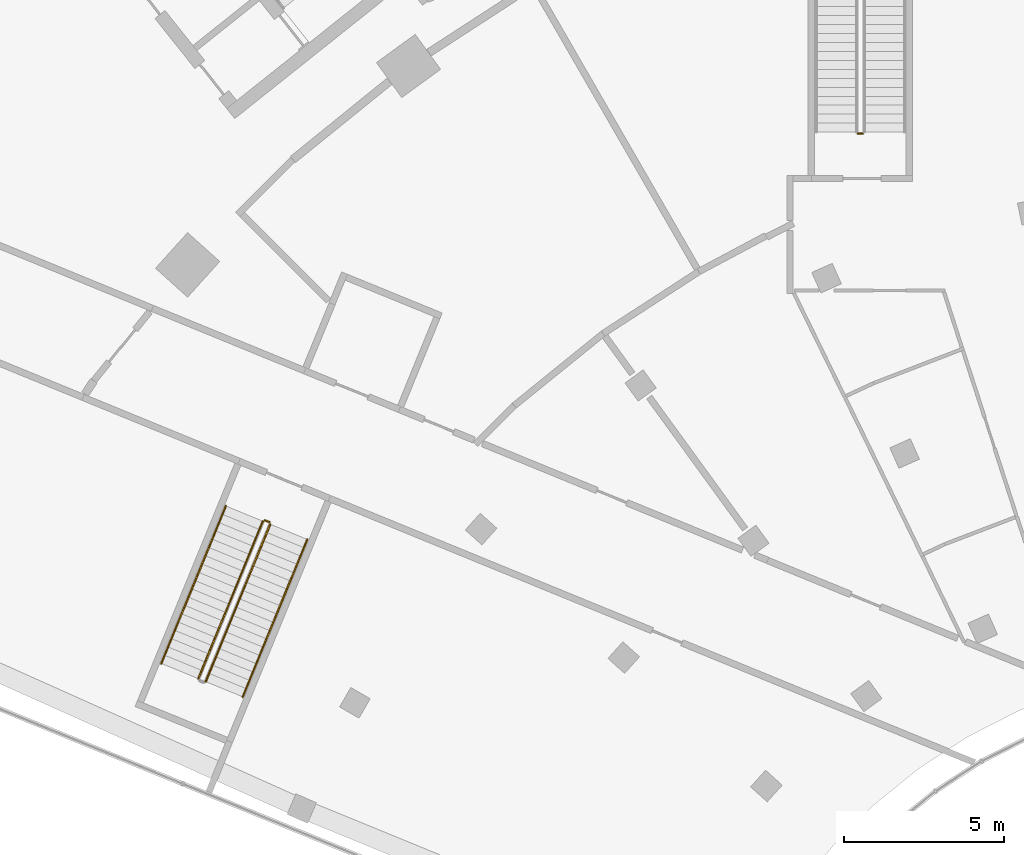
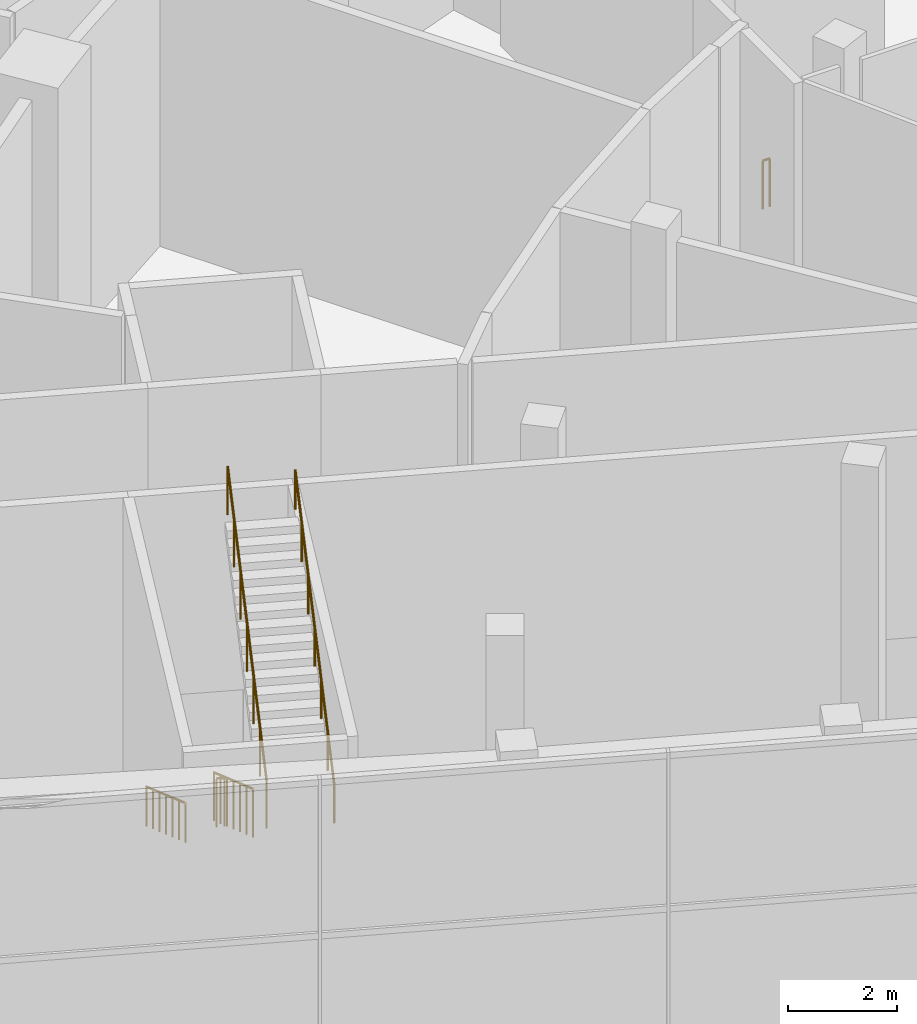
# One storey, part 49 of 60: 6 railings.
"""IFC4 building model written with IfcOpenShell, lengths in metres."""

from ifc_helpers import new_model, si_unit, direction, frame, origin, origin_2d, place, context, subcontext, project, spatial, circle, extrude, material, type_object, element, save


model = new_model("IFC4")

# Units and contexts
model_context = context("Model", 3, precision=1e-05, world=origin(), true_north=direction((0.0, 1.0)))
body_context = subcontext(model_context, "Body", "Model", "MODEL_VIEW")
ifc_project = project(units=[si_unit("LENGTHUNIT", "METRE"), si_unit("AREAUNIT", "SQUARE_METRE"), si_unit("VOLUMEUNIT", "CUBIC_METRE"), si_unit("PLANEANGLEUNIT", "RADIAN"), si_unit("MASSUNIT", "GRAM", prefix="KILO")], contexts=[model_context])

# Site, building, storey
site_placement = place(None, origin())
site = spatial("IfcSite", under=ifc_project, at=site_placement, CompositionType="ELEMENT")
building_placement = place(site_placement, origin())
building = spatial("IfcBuilding", under=site, at=building_placement, Name="Stone Belt Terrace Tower", CompositionType="ELEMENT")
storey_placement = place(building_placement, origin())
storey = spatial("IfcBuildingStorey", under=building, at=storey_placement, Name="L00", CompositionType="ELEMENT", Elevation=0.0)

# Railings
ifc_material_1 = material(Name="Steel balustrade", Category="steel")
railing_type_1 = type_object("IfcRailingType", Name="Podium stair guard", PredefinedType="GUARDRAIL", material=ifc_material_1)
railing_1_placement = place(storey_placement, frame((-30.6767578125, 21.72705078125, 0.175048828125)))
element("IfcRailing", 1, at=railing_1_placement, inside=storey, type_object=railing_type_1, Name="L00 PS1 stair guard 1", PredefinedType="GUARDRAIL", context=body_context, shape_type="SweptSolid", body=[
    extrude(circle(Radius=0.02392578125, at=origin_2d()), frame((0.0, 0.0, 1.076171875), z_axis=(-0.321598436884, -0.784655043911, 0.529991422062), x_axis=(0.925297482955, -0.379242096868, 0.0)), (0.0, 0.0, 1.0), 6.273681640625),
    extrude(circle(Radius=0.02099609375, at=origin_2d()), origin(), (0.0, 0.0, 1.0), 1.052001953125),
    extrude(circle(Radius=0.02099609375, at=origin_2d()), frame((-0.336181640625, -0.8203125, 0.55419921875)), (0.0, 0.0, 1.0), 1.052001953125),
    extrude(circle(Radius=0.02099609375, at=origin_2d()), frame((-0.672607421875, -1.640869140625, 1.1083984375)), (0.0, 0.0, 1.0), 1.052001953125),
    extrude(circle(Radius=0.02099609375, at=origin_2d()), frame((-1.0087890625, -2.46142578125, 1.66259765625)), (0.0, 0.0, 1.0), 1.052001953125),
    extrude(circle(Radius=0.02099609375, at=origin_2d()), frame((-1.344970703125, -3.28173828125, 2.216552734375)), (0.0, 0.0, 1.0), 1.052001953125),
    extrude(circle(Radius=0.02099609375, at=origin_2d()), frame((-1.681396484375, -4.10205078125, 2.770751953125)), (0.0, 0.0, 1.0), 1.052001953125),
    extrude(circle(Radius=0.02099609375, at=origin_2d()), frame((-2.017578125, -4.922607421875, 3.324951171875)), (0.0, 0.0, 1.0), 1.052001953125),
])
railing_2_placement = place(storey_placement, frame((-32.463134765625, 16.709716796875, 3.675048828125)))
element("IfcRailing", 2, at=railing_2_placement, inside=storey, type_object=railing_type_1, Name="L00 PS1 stair guard 3", PredefinedType="GUARDRAIL", context=body_context, shape_type="SweptSolid", body=[
    extrude(circle(Radius=0.02392578125, at=origin_2d()), frame((0.0, 0.0, 1.076171875), z_axis=(0.321598436884, 0.784655043911, 0.529991422062), x_axis=(-0.925297482955, 0.379242096868, 0.0)), (0.0, 0.0, 1.0), 6.273681640625),
    extrude(circle(Radius=0.02099609375, at=origin_2d()), origin(), (0.0, 0.0, 1.0), 1.052001953125),
    extrude(circle(Radius=0.02099609375, at=origin_2d()), frame((0.336181640625, 0.8203125, 0.55419921875)), (0.0, 0.0, 1.0), 1.052001953125),
    extrude(circle(Radius=0.02099609375, at=origin_2d()), frame((0.672607421875, 1.640869140625, 1.1083984375)), (0.0, 0.0, 1.0), 1.052001953125),
    extrude(circle(Radius=0.02099609375, at=origin_2d()), frame((1.0087890625, 2.46142578125, 1.66259765625)), (0.0, 0.0, 1.0), 1.052001953125),
    extrude(circle(Radius=0.02099609375, at=origin_2d()), frame((1.344970703125, 3.28173828125, 2.216552734375)), (0.0, 0.0, 1.0), 1.052001953125),
    extrude(circle(Radius=0.02099609375, at=origin_2d()), frame((1.681396484375, 4.10205078125, 2.770751953125)), (0.0, 0.0, 1.0), 1.052001953125),
    extrude(circle(Radius=0.02099609375, at=origin_2d()), frame((2.017578125, 4.922607421875, 3.324951171875)), (0.0, 0.0, 1.0), 1.052001953125),
])
railing_3_placement = place(storey_placement, frame((-30.611572265625, 21.75439453125, 0.0)))
element("IfcRailing", 3, at=railing_3_placement, inside=storey, type_object=railing_type_1, Name="L00 PS1 stair guard 4", PredefinedType="GUARDRAIL", context=body_context, shape_type="SweptSolid", body=[
    extrude(circle(Radius=0.02392578125, at=origin_2d()), frame((0.0, 0.0, 1.076171875), z_axis=(0.925183283695, -0.379520607572, 0.0), x_axis=(0.379520607572, 0.925183283695, 0.0)), (0.0, 0.0, 1.0), 0.14990234375),
    extrude(circle(Radius=0.02099609375, at=origin_2d()), origin(), (0.0, 0.0, 1.0), 1.052001953125),
    extrude(circle(Radius=0.02099609375, at=origin_2d()), frame((0.138671875, -0.056884765625, 0.0)), (0.0, 0.0, 1.0), 1.052001953125),
])
railing_4_placement = place(storey_placement, frame((-11.925048828125, 33.840087890625, 0.0)))
element("IfcRailing", 4, at=railing_4_placement, inside=storey, type_object=railing_type_1, Name="L00 PS5 stair guard 4", PredefinedType="GUARDRAIL", context=body_context, shape_type="SweptSolid", body=[
    extrude(circle(Radius=0.02392578125, at=origin_2d()), frame((0.0, 0.0, 1.076171875), z_axis=(-1.0, 0.0, 0.0), x_axis=(0.0, -1.0, 0.0)), (0.0, 0.0, 1.0), 0.14990234375),
    extrude(circle(Radius=0.02099609375, at=origin_2d()), origin(), (0.0, 0.0, 1.0), 1.052001953125),
    extrude(circle(Radius=0.02099609375, at=origin_2d()), frame((-0.14990234375, 0.0, 0.0)), (0.0, 0.0, 1.0), 1.052001953125),
])
ifc_material_2 = material(Name="Stainless steel handrail", Category="steel")
railing_type_2 = type_object("IfcRailingType", Name="Podium stair handrail", PredefinedType="HANDRAIL", material=ifc_material_2)
railing_5_placement = place(storey_placement, frame((-31.83349609375, 22.201171875, 0.175048828125)))
element("IfcRailing", 5, at=railing_5_placement, inside=storey, type_object=railing_type_2, Name="L00 PS1 stair handrail 1", PredefinedType="HANDRAIL", context=body_context, shape_type="SweptSolid", body=[
    extrude(circle(Radius=0.02392578125, at=origin_2d()), frame((0.0, 0.0, 0.8759765625), z_axis=(-0.321598436884, -0.784655043911, 0.529991422062), x_axis=(0.925297482955, -0.379242096868, 0.0)), (0.0, 0.0, 1.0), 6.273681640625),
    extrude(circle(Radius=0.02099609375, at=origin_2d()), origin(), (0.0, 0.0, 1.0), 0.851806640625),
    extrude(circle(Radius=0.02099609375, at=origin_2d()), frame((-0.336181640625, -0.8203125, 0.55419921875)), (0.0, 0.0, 1.0), 0.851806640625),
    extrude(circle(Radius=0.02099609375, at=origin_2d()), frame((-0.672607421875, -1.640869140625, 1.1083984375)), (0.0, 0.0, 1.0), 0.851806640625),
    extrude(circle(Radius=0.02099609375, at=origin_2d()), frame((-1.0087890625, -2.46142578125, 1.66259765625)), (0.0, 0.0, 1.0), 0.851806640625),
    extrude(circle(Radius=0.02099609375, at=origin_2d()), frame((-1.344970703125, -3.28173828125, 2.216552734375)), (0.0, 0.0, 1.0), 0.851806640625),
    extrude(circle(Radius=0.02099609375, at=origin_2d()), frame((-1.681396484375, -4.10205078125, 2.770751953125)), (0.0, 0.0, 1.0), 0.851806640625),
    extrude(circle(Radius=0.02099609375, at=origin_2d()), frame((-2.017578125, -4.922607421875, 3.324951171875)), (0.0, 0.0, 1.0), 0.851806640625),
])
railing_6_placement = place(storey_placement, frame((-31.306396484375, 16.235595703125, 3.675048828125)))
element("IfcRailing", 6, at=railing_6_placement, inside=storey, type_object=railing_type_2, Name="L00 PS1 stair handrail 2", PredefinedType="HANDRAIL", context=body_context, shape_type="SweptSolid", body=[
    extrude(circle(Radius=0.02392578125, at=origin_2d()), frame((0.0, 0.0, 0.8759765625), z_axis=(0.321598436884, 0.784655043911, 0.529991422062), x_axis=(-0.925297482955, 0.379242096868, 0.0)), (0.0, 0.0, 1.0), 6.273681640625),
    extrude(circle(Radius=0.02099609375, at=origin_2d()), origin(), (0.0, 0.0, 1.0), 0.851806640625),
    extrude(circle(Radius=0.02099609375, at=origin_2d()), frame((0.336181640625, 0.8203125, 0.55419921875)), (0.0, 0.0, 1.0), 0.851806640625),
    extrude(circle(Radius=0.02099609375, at=origin_2d()), frame((0.672607421875, 1.640869140625, 1.1083984375)), (0.0, 0.0, 1.0), 0.851806640625),
    extrude(circle(Radius=0.02099609375, at=origin_2d()), frame((1.0087890625, 2.46142578125, 1.66259765625)), (0.0, 0.0, 1.0), 0.851806640625),
    extrude(circle(Radius=0.02099609375, at=origin_2d()), frame((1.344970703125, 3.28173828125, 2.216552734375)), (0.0, 0.0, 1.0), 0.851806640625),
    extrude(circle(Radius=0.02099609375, at=origin_2d()), frame((1.681396484375, 4.10205078125, 2.770751953125)), (0.0, 0.0, 1.0), 0.851806640625),
    extrude(circle(Radius=0.02099609375, at=origin_2d()), frame((2.017578125, 4.922607421875, 3.324951171875)), (0.0, 0.0, 1.0), 0.851806640625),
])

save(model, "model.ifc")
